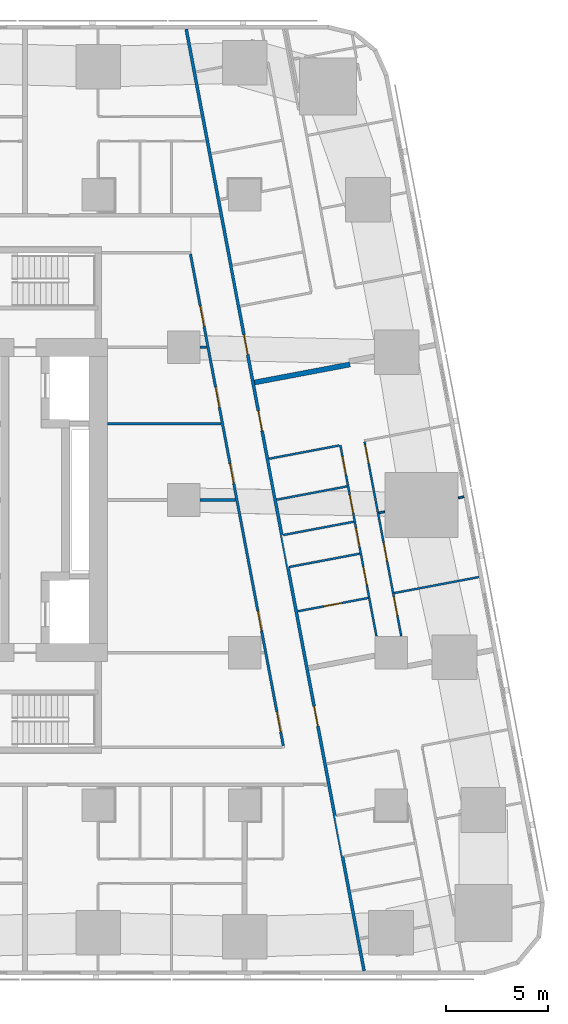
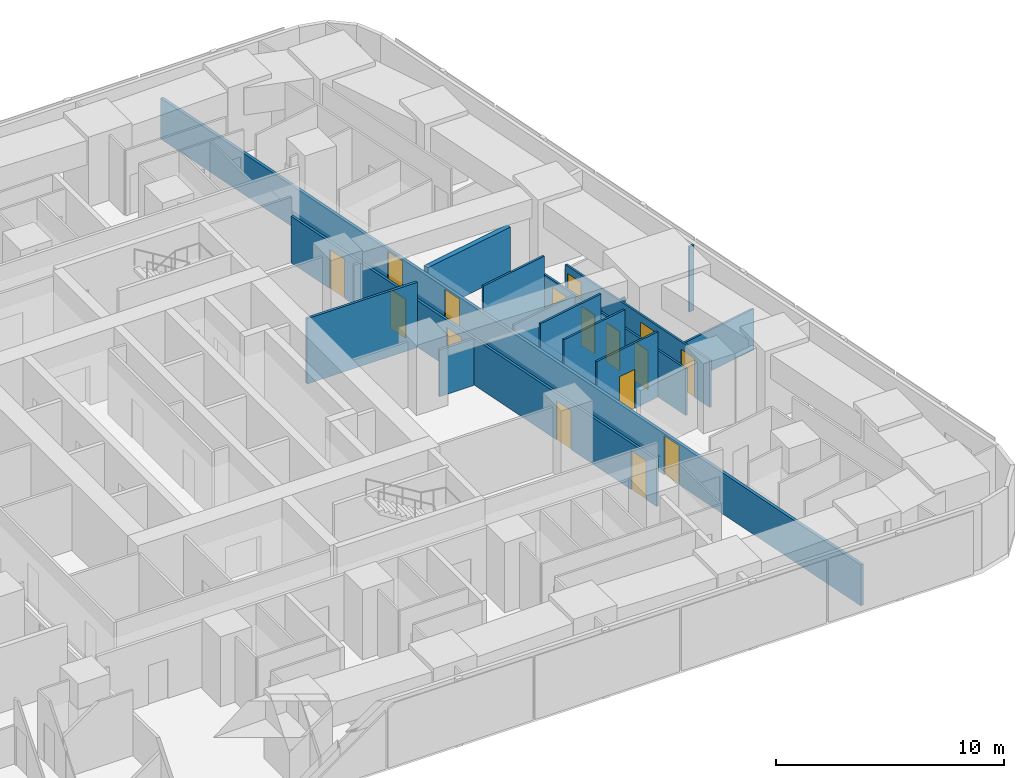
# One storey, part 8 of 16: 16 doors, 16 walls, 16 openings.
"""IFC4 building model written with IfcOpenShell, lengths in metres."""

from ifc_helpers import new_model, si_unit, direction, frame, frame_2d, origin, place, context, subcontext, project, spatial, rectangle, extrude, material, layer, layer_set, type_object, element, fill, save


model = new_model("IFC4")

# Units and contexts
model_context = context("Model", 3, precision=1e-05, world=origin(), true_north=direction((0.0, 1.0)))
body_context = subcontext(model_context, "Body", "Model", "MODEL_VIEW")
ifc_project = project(units=[si_unit("LENGTHUNIT", "METRE"), si_unit("AREAUNIT", "SQUARE_METRE"), si_unit("VOLUMEUNIT", "CUBIC_METRE"), si_unit("PLANEANGLEUNIT", "RADIAN"), si_unit("MASSUNIT", "GRAM", prefix="KILO")], contexts=[model_context])

# Site, building, storey
site_placement = place(None, origin())
site = spatial("IfcSite", under=ifc_project, at=site_placement, CompositionType="ELEMENT")
building_placement = place(site_placement, origin())
building = spatial("IfcBuilding", under=site, at=building_placement, Name="Sheger Commons Tower", CompositionType="ELEMENT")
storey_placement = place(building_placement, frame((0.0, 0.0, 92.89990234375)))
storey = spatial("IfcBuildingStorey", under=building, at=storey_placement, Name="L23", CompositionType="ELEMENT", Elevation=92.89990234375)

# Wall, openings, doors
ifc_material_1 = material(Name="Hollow concrete block masonry, skimmed both sides", Category="masonry")
ifc_layer_1 = layer(ifc_material_1, 0.14990234375)
ifc_layer_set_1 = layer_set([ifc_layer_1], Name="CORRIDOR WALL 150")
wall_type_1 = type_object("IfcWallType", Name="CORRIDOR WALL 150", PredefinedType="SOLIDWALL", material=ifc_layer_set_1)
wall_1_placement = place(storey_placement, frame((33.126953125, 45.64990234375, 0.0), z_axis=(0.0, 0.0, 1.0), x_axis=(0.185598547723, -0.98262565562, 0.0)))
wall_1 = element("IfcWall", 1, at=wall_1_placement, inside=storey, type_object=wall_type_1, Name="Corridor wall L23", PredefinedType="SOLIDWALL", context=body_context, shape_type="SweptSolid", body=[
    extrude(rectangle(XDim=47.118408203125, YDim=0.14990234375, at=frame_2d((23.55908203125, 0.0))), origin(), (0.0, 0.0, 1.0), 2.2001953125),
])
opening_1_placement = place(wall_1_placement, frame((15.284912109375, 0.0, 0.0)))
opening_1 = element("IfcOpeningElement", 2, at=opening_1_placement, cuts=wall_1, Name="Opening D1", PredefinedType="OPENING", context=body_context, shape_type="SweptSolid", body=[
    extrude(rectangle(XDim=1.0, YDim=2.10009765625, at=frame_2d((0.5, 1.050048828125))), frame((0.0, 0.0849609375, 0.0), z_axis=(0.0, -1.0, 0.0), x_axis=(1.0, 0.0, 0.0)), (0.0, 0.0, 1.0), 0.169921875),
])
opening_2_placement = place(wall_1_placement, frame((19.10205078125, 0.0, 0.0)))
opening_2 = element("IfcOpeningElement", 3, at=opening_2_placement, cuts=wall_1, Name="Opening D1", PredefinedType="OPENING", context=body_context, shape_type="SweptSolid", body=[
    extrude(rectangle(XDim=1.0, YDim=2.10009765625, at=frame_2d((0.5, 1.050048828125))), frame((0.0, 0.0849609375, 0.0), z_axis=(0.0, -1.0, 0.0), x_axis=(1.0, 0.0, 0.0)), (0.0, 0.0, 1.0), 0.169921875),
])
opening_3_placement = place(wall_1_placement, frame((33.8798828125, 0.0, 0.0)))
opening_3 = element("IfcOpeningElement", 4, at=opening_3_placement, cuts=wall_1, Name="Opening D1", PredefinedType="OPENING", context=body_context, shape_type="SweptSolid", body=[
    extrude(rectangle(XDim=1.0, YDim=2.10009765625, at=frame_2d((0.5, 1.050048828125))), frame((0.0, 0.0849609375, 0.0), z_axis=(0.0, -1.0, 0.0), x_axis=(1.0, 0.0, 0.0)), (0.0, 0.0, 1.0), 0.169921875),
])
ifc_material_2 = material(Name="Steel door set, fire rated", Category="steel")
door_type_1 = type_object("IfcDoorType", Name="FLAT ENTRANCE DOOR 1000x2100", OperationType="NOTDEFINED", PredefinedType="DOOR", material=ifc_material_2)
door_1_placement = place(opening_1_placement, origin())
door_1 = element("IfcDoor", 5, at=door_1_placement, inside=storey, type_object=door_type_1, Name="Flat entrance door", OperationType="SINGLE_SWING_RIGHT", OverallHeight=2.10009765625, OverallWidth=1.0, PredefinedType="DOOR", context=body_context, shape_type="SweptSolid", body=[
    extrude(rectangle(XDim=1.0, YDim=2.10009765625, at=frame_2d((0.5, 1.050048828125))), frame((0.0, 0.02490234375, 0.0), z_axis=(0.0, -1.0, 0.0), x_axis=(1.0, 0.0, 0.0)), (0.0, 0.0, 1.0), 0.050048828125),
])
fill(opening_1, door_1)
door_2_placement = place(opening_2_placement, origin())
door_2 = element("IfcDoor", 6, at=door_2_placement, inside=storey, type_object=door_type_1, Name="Flat entrance door", OperationType="SINGLE_SWING_RIGHT", OverallHeight=2.10009765625, OverallWidth=1.0, PredefinedType="DOOR", context=body_context, shape_type="SweptSolid", body=[
    extrude(rectangle(XDim=1.0, YDim=2.10009765625, at=frame_2d((0.5, 1.050048828125))), frame((0.0, 0.02490234375, 0.0), z_axis=(0.0, -1.0, 0.0), x_axis=(1.0, 0.0, 0.0)), (0.0, 0.0, 1.0), 0.050048828125),
])
fill(opening_2, door_2)
door_3_placement = place(opening_3_placement, origin())
door_3 = element("IfcDoor", 7, at=door_3_placement, inside=storey, type_object=door_type_1, Name="Flat entrance door", OperationType="SINGLE_SWING_LEFT", OverallHeight=2.10009765625, OverallWidth=1.0, PredefinedType="DOOR", context=body_context, shape_type="SweptSolid", body=[
    extrude(rectangle(XDim=1.0, YDim=2.10009765625, at=frame_2d((0.5, 1.050048828125))), frame((0.0, 0.02490234375, 0.0), z_axis=(0.0, -1.0, 0.0), x_axis=(1.0, 0.0, 0.0)), (0.0, 0.0, 1.0), 0.050048828125),
])
fill(opening_3, door_3)

# Wall
ifc_material_3 = material(Name="Dense concrete block masonry, plastered both sides (separating wall between flats)", Category="masonry")
ifc_layer_2 = layer(ifc_material_3, 0.25)
ifc_layer_set_2 = layer_set([ifc_layer_2], Name="DEMISING WALL 250")
wall_type_2 = type_object("IfcWallType", Name="DEMISING WALL 250", PredefinedType="SOLIDWALL", material=ifc_layer_set_2)
wall_2_placement = place(storey_placement, frame((41.177001953125, 29.1640625, 0.0), z_axis=(0.0, 0.0, 1.0), x_axis=(-0.982642846239, -0.185507511263, 0.0)))
element("IfcWall", 8, at=wall_2_placement, inside=storey, type_object=wall_type_2, Name="Demising wall L23", PredefinedType="SOLIDWALL", context=body_context, shape_type="SweptSolid", body=[
    extrude(rectangle(XDim=4.776123046875, YDim=0.25, at=frame_2d((2.38818359375, 0.0))), origin(), (0.0, 0.0, 1.0), 2.5),
])

# Wall, openings, doors
ifc_material_4 = material(Name="Gypsum board on steel studs", Category="steel")
ifc_layer_3 = layer(ifc_material_4, 0.10009765625)
ifc_layer_set_3 = layer_set([ifc_layer_3], Name="PARTITION 100")
wall_type_3 = type_object("IfcWallType", Name="PARTITION 100", PredefinedType="PARTITIONING", material=ifc_layer_set_3)
wall_3_placement = place(storey_placement, frame((41.89404296875, 25.365966796875, 0.0), z_axis=(0.0, 0.0, 1.0), x_axis=(0.185599502781, -0.982625475228, 0.0)))
wall_3 = element("IfcWall", 9, at=wall_3_placement, inside=storey, type_object=wall_type_3, Name="Partition L23", PredefinedType="PARTITIONING", context=body_context, shape_type="SweptSolid", body=[
    extrude(rectangle(XDim=9.724853515625, YDim=0.10009765625, at=frame_2d((4.8623046875, 0.0))), origin(), (0.0, 0.0, 1.0), 2.5),
])
opening_4_placement = place(wall_3_placement, frame((0.15087890625, 0.0, 0.0)))
opening_4 = element("IfcOpeningElement", 10, at=opening_4_placement, cuts=wall_3, Name="Opening D2", PredefinedType="OPENING", context=body_context, shape_type="SweptSolid", body=[
    extrude(rectangle(XDim=0.89990234375, YDim=2.10009765625, at=frame_2d((0.449951171875, 1.050048828125))), frame((0.0, 0.06005859375, 0.0), z_axis=(0.0, -1.0, 0.0), x_axis=(1.0, 0.0, 0.0)), (0.0, 0.0, 1.0), 0.1201171875),
])
opening_5_placement = place(wall_3_placement, frame((5.050048828125, 0.0, 0.0)))
opening_5 = element("IfcOpeningElement", 11, at=opening_5_placement, cuts=wall_3, Name="Opening D2", PredefinedType="OPENING", context=body_context, shape_type="SweptSolid", body=[
    extrude(rectangle(XDim=0.89990234375, YDim=2.10009765625, at=frame_2d((0.449951171875, 1.050048828125))), frame((0.0, 0.06005859375, 0.0), z_axis=(0.0, -1.0, 0.0), x_axis=(1.0, 0.0, 0.0)), (0.0, 0.0, 1.0), 0.1201171875),
])
opening_6_placement = place(wall_3_placement, frame((7.782958984375, 0.0, 0.0)))
opening_6 = element("IfcOpeningElement", 12, at=opening_6_placement, cuts=wall_3, Name="Opening D2", PredefinedType="OPENING", context=body_context, shape_type="SweptSolid", body=[
    extrude(rectangle(XDim=0.89990234375, YDim=2.10009765625, at=frame_2d((0.449951171875, 1.050048828125))), frame((0.0, 0.06005859375, 0.0), z_axis=(0.0, -1.0, 0.0), x_axis=(1.0, 0.0, 0.0)), (0.0, 0.0, 1.0), 0.1201171875),
])
ifc_material_5 = material(Name="Timber door set", Category="wood")
door_type_2 = type_object("IfcDoorType", Name="INTERNAL DOOR 900x2100", OperationType="NOTDEFINED", PredefinedType="DOOR", material=ifc_material_5)
door_4_placement = place(opening_4_placement, origin())
door_4 = element("IfcDoor", 13, at=door_4_placement, inside=storey, type_object=door_type_2, Name="Main bedroom door", OperationType="SINGLE_SWING_LEFT", OverallHeight=2.10009765625, OverallWidth=0.89990234375, PredefinedType="DOOR", context=body_context, shape_type="SweptSolid", body=[
    extrude(rectangle(XDim=0.89990234375, YDim=2.10009765625, at=frame_2d((0.449951171875, 1.050048828125))), frame((0.0, 0.02490234375, 0.0), z_axis=(0.0, -1.0, 0.0), x_axis=(1.0, 0.0, 0.0)), (0.0, 0.0, 1.0), 0.050048828125),
])
fill(opening_4, door_4)
door_5_placement = place(opening_5_placement, origin())
door_5 = element("IfcDoor", 14, at=door_5_placement, inside=storey, type_object=door_type_2, Name="Bedroom 2 door", OperationType="SINGLE_SWING_LEFT", OverallHeight=2.10009765625, OverallWidth=0.89990234375, PredefinedType="DOOR", context=body_context, shape_type="SweptSolid", body=[
    extrude(rectangle(XDim=0.89990234375, YDim=2.10009765625, at=frame_2d((0.449951171875, 1.050048828125))), frame((0.0, 0.02490234375, 0.0), z_axis=(0.0, -1.0, 0.0), x_axis=(1.0, 0.0, 0.0)), (0.0, 0.0, 1.0), 0.050048828125),
])
fill(opening_5, door_5)
door_6_placement = place(opening_6_placement, origin())
door_6 = element("IfcDoor", 15, at=door_6_placement, inside=storey, type_object=door_type_2, Name="Bedroom 3 door", OperationType="SINGLE_SWING_LEFT", OverallHeight=2.10009765625, OverallWidth=0.89990234375, PredefinedType="DOOR", context=body_context, shape_type="SweptSolid", body=[
    extrude(rectangle(XDim=0.89990234375, YDim=2.10009765625, at=frame_2d((0.449951171875, 1.050048828125))), frame((0.0, 0.02490234375, 0.0), z_axis=(0.0, -1.0, 0.0), x_axis=(1.0, 0.0, 0.0)), (0.0, 0.0, 1.0), 0.050048828125),
])
fill(opening_6, door_6)

wall_4_placement = place(storey_placement, frame((40.7060546875, 25.19189453125, 0.0), z_axis=(0.0, 0.0, 1.0), x_axis=(0.185591412258, -0.982627003342, 0.0)))
wall_4 = element("IfcWall", 16, at=wall_4_placement, inside=storey, type_object=wall_type_3, Name="Partition L23", PredefinedType="PARTITIONING", context=body_context, shape_type="SweptSolid", body=[
    extrude(rectangle(XDim=9.547607421875, YDim=0.10009765625, at=frame_2d((4.77392578125, 0.0))), origin(), (0.0, 0.0, 1.0), 2.5),
])
opening_7_placement = place(wall_4_placement, frame((0.574951171875, 0.0, 0.0)))
opening_7 = element("IfcOpeningElement", 17, at=opening_7_placement, cuts=wall_4, Name="Opening D2", PredefinedType="OPENING", context=body_context, shape_type="SweptSolid", body=[
    extrude(rectangle(XDim=0.89990234375, YDim=2.10009765625, at=frame_2d((0.449951171875, 1.050048828125))), frame((0.0, 0.06005859375, 0.0), z_axis=(0.0, -1.0, 0.0), x_axis=(1.0, 0.0, 0.0)), (0.0, 0.0, 1.0), 0.1201171875),
])
opening_8_placement = place(wall_4_placement, frame((4.166015625, 0.0, 0.0)))
opening_8 = element("IfcOpeningElement", 18, at=opening_8_placement, cuts=wall_4, Name="Opening D2", PredefinedType="OPENING", context=body_context, shape_type="SweptSolid", body=[
    extrude(rectangle(XDim=0.89990234375, YDim=2.10009765625, at=frame_2d((0.449951171875, 1.050048828125))), frame((0.0, 0.06005859375, 0.0), z_axis=(0.0, -1.0, 0.0), x_axis=(1.0, 0.0, 0.0)), (0.0, 0.0, 1.0), 0.1201171875),
])
opening_9_placement = place(wall_4_placement, frame((2.48291015625, 0.0, 0.0)))
opening_9 = element("IfcOpeningElement", 19, at=opening_9_placement, cuts=wall_4, Name="Opening D2", PredefinedType="OPENING", context=body_context, shape_type="SweptSolid", body=[
    extrude(rectangle(XDim=0.89990234375, YDim=2.10009765625, at=frame_2d((0.449951171875, 1.050048828125))), frame((0.0, 0.06005859375, 0.0), z_axis=(0.0, -1.0, 0.0), x_axis=(1.0, 0.0, 0.0)), (0.0, 0.0, 1.0), 0.1201171875),
])
opening_10_placement = place(wall_4_placement, frame((6.073974609375, 0.0, 0.0)))
opening_10 = element("IfcOpeningElement", 20, at=opening_10_placement, cuts=wall_4, Name="Opening D2", PredefinedType="OPENING", context=body_context, shape_type="SweptSolid", body=[
    extrude(rectangle(XDim=0.89990234375, YDim=2.10009765625, at=frame_2d((0.449951171875, 1.050048828125))), frame((0.0, 0.06005859375, 0.0), z_axis=(0.0, -1.0, 0.0), x_axis=(1.0, 0.0, 0.0)), (0.0, 0.0, 1.0), 0.1201171875),
])
door_7_placement = place(opening_7_placement, origin())
door_7 = element("IfcDoor", 21, at=door_7_placement, inside=storey, type_object=door_type_2, Name="Bathroom door", OperationType="SINGLE_SWING_RIGHT", OverallHeight=2.10009765625, OverallWidth=0.89990234375, PredefinedType="DOOR", context=body_context, shape_type="SweptSolid", body=[
    extrude(rectangle(XDim=0.89990234375, YDim=2.10009765625, at=frame_2d((0.449951171875, 1.050048828125))), frame((0.0, 0.02490234375, 0.0), z_axis=(0.0, -1.0, 0.0), x_axis=(1.0, 0.0, 0.0)), (0.0, 0.0, 1.0), 0.050048828125),
])
fill(opening_7, door_7)
door_8_placement = place(opening_8_placement, origin())
door_8 = element("IfcDoor", 22, at=door_8_placement, inside=storey, type_object=door_type_2, Name="Shower room door", OperationType="SINGLE_SWING_RIGHT", OverallHeight=2.10009765625, OverallWidth=0.89990234375, PredefinedType="DOOR", context=body_context, shape_type="SweptSolid", body=[
    extrude(rectangle(XDim=0.89990234375, YDim=2.10009765625, at=frame_2d((0.449951171875, 1.050048828125))), frame((0.0, 0.02490234375, 0.0), z_axis=(0.0, -1.0, 0.0), x_axis=(1.0, 0.0, 0.0)), (0.0, 0.0, 1.0), 0.050048828125),
])
fill(opening_8, door_8)
door_9_placement = place(opening_9_placement, origin())
door_9 = element("IfcDoor", 23, at=door_9_placement, inside=storey, type_object=door_type_2, Name="Store door", OperationType="SINGLE_SWING_RIGHT", OverallHeight=2.10009765625, OverallWidth=0.89990234375, PredefinedType="DOOR", context=body_context, shape_type="SweptSolid", body=[
    extrude(rectangle(XDim=0.89990234375, YDim=2.10009765625, at=frame_2d((0.449951171875, 1.050048828125))), frame((0.0, 0.02490234375, 0.0), z_axis=(0.0, -1.0, 0.0), x_axis=(1.0, 0.0, 0.0)), (0.0, 0.0, 1.0), 0.050048828125),
])
fill(opening_9, door_9)
door_10_placement = place(opening_10_placement, origin())
door_10 = element("IfcDoor", 24, at=door_10_placement, inside=storey, type_object=door_type_2, Name="Store door", OperationType="SINGLE_SWING_LEFT", OverallHeight=2.10009765625, OverallWidth=0.89990234375, PredefinedType="DOOR", context=body_context, shape_type="SweptSolid", body=[
    extrude(rectangle(XDim=0.89990234375, YDim=2.10009765625, at=frame_2d((0.449951171875, 1.050048828125))), frame((0.0, 0.02490234375, 0.0), z_axis=(0.0, -1.0, 0.0), x_axis=(1.0, 0.0, 0.0)), (0.0, 0.0, 1.0), 0.050048828125),
])
fill(opening_10, door_10)

# Walls
wall_5_placement = place(storey_placement, frame((46.781982421875, 22.656982421875, 0.0), z_axis=(0.0, 0.0, 1.0), x_axis=(-0.982574553168, -0.185868898601, 0.0)))
element("IfcWall", 25, at=wall_5_placement, inside=storey, type_object=wall_type_3, Name="Partition L23", PredefinedType="PARTITIONING", context=body_context, shape_type="SweptSolid", body=[
    extrude(rectangle(XDim=0.27978515625, YDim=0.10009765625, at=frame_2d((0.139892578125, 0.0))), origin(), (0.0, 0.0, 1.0), 3.5),
])
wall_6_placement = place(storey_placement, frame((42.886962890625, 21.9208984375, 0.0), z_axis=(0.0, 0.0, 1.0), x_axis=(-0.982688058078, -0.185267861514, 0.0)))
element("IfcWall", 26, at=wall_6_placement, inside=storey, type_object=wall_type_3, Name="Partition L23", PredefinedType="PARTITIONING", context=body_context, shape_type="SweptSolid", body=[
    extrude(rectangle(XDim=0.285888671875, YDim=0.10009765625, at=frame_2d((0.14306640625, 0.0))), origin(), (0.0, 0.0, 1.0), 2.5),
])
wall_7_placement = place(storey_placement, frame((47.527099609375, 18.7119140625, 0.0), z_axis=(0.0, 0.0, 1.0), x_axis=(-0.982665405803, -0.185387972203, 0.0)))
element("IfcWall", 27, at=wall_7_placement, inside=storey, type_object=wall_type_3, Name="Partition L23", PredefinedType="PARTITIONING", context=body_context, shape_type="SweptSolid", body=[
    extrude(rectangle(XDim=4.249755859375, YDim=0.10009765625, at=frame_2d((2.125, 0.0))), origin(), (0.0, 0.0, 1.0), 2.2001953125),
])
wall_8_placement = place(storey_placement, frame((40.656982421875, 25.18310546875, 0.0), z_axis=(0.0, 0.0, 1.0), x_axis=(-0.982585626838, -0.185810349366, 0.0)))
element("IfcWall", 28, at=wall_8_placement, inside=storey, type_object=wall_type_3, Name="Partition L23", PredefinedType="PARTITIONING", context=body_context, shape_type="SweptSolid", body=[
    extrude(rectangle(XDim=3.525146484375, YDim=0.10009765625, at=frame_2d((1.7626953125, 0.0))), origin(), (0.0, 0.0, 1.0), 3.5),
])
wall_9_placement = place(storey_placement, frame((41.364990234375, 21.43310546875, 0.0), z_axis=(0.0, 0.0, 1.0), x_axis=(-0.982638553676, -0.185530247748, 0.0)))
element("IfcWall", 29, at=wall_9_placement, inside=storey, type_object=wall_type_3, Name="Partition L23", PredefinedType="PARTITIONING", context=body_context, shape_type="SweptSolid", body=[
    extrude(rectangle(XDim=3.525390625, YDim=0.10009765625, at=frame_2d((1.7626953125, 0.0))), origin(), (0.0, 0.0, 1.0), 3.5),
])

# Wall, opening, door
wall_10_placement = place(storey_placement, frame((42.072998046875, 17.681884765625, 0.0), z_axis=(0.0, 0.0, 1.0), x_axis=(-0.98265117712, -0.185463376723, 0.0)))
wall_10 = element("IfcWall", 30, at=wall_10_placement, inside=storey, type_object=wall_type_3, Name="Partition L23", PredefinedType="PARTITIONING", context=body_context, shape_type="SweptSolid", body=[
    extrude(rectangle(XDim=3.525390625, YDim=0.10009765625, at=frame_2d((1.7626953125, 0.0))), origin(), (0.0, 0.0, 1.0), 3.5),
])
opening_11_placement = place(wall_10_placement, frame((1.324951171875, 0.0, 0.0)))
opening_11 = element("IfcOpeningElement", 31, at=opening_11_placement, cuts=wall_10, Name="Opening D2", PredefinedType="OPENING", context=body_context, shape_type="SweptSolid", body=[
    extrude(rectangle(XDim=0.89990234375, YDim=2.10009765625, at=frame_2d((0.449951171875, 1.050048828125))), frame((0.0, 0.06005859375, 0.0), z_axis=(0.0, -1.0, 0.0), x_axis=(1.0, 0.0, 0.0)), (0.0, 0.0, 1.0), 0.1201171875),
])
door_11_placement = place(opening_11_placement, origin())
door_11 = element("IfcDoor", 32, at=door_11_placement, inside=storey, type_object=door_type_2, Name="Store door", OperationType="SINGLE_SWING_RIGHT", OverallHeight=2.10009765625, OverallWidth=0.89990234375, PredefinedType="DOOR", context=body_context, shape_type="SweptSolid", body=[
    extrude(rectangle(XDim=0.89990234375, YDim=2.10009765625, at=frame_2d((0.449951171875, 1.050048828125))), frame((0.0, 0.02490234375, 0.0), z_axis=(0.0, -1.0, 0.0), x_axis=(1.0, 0.0, 0.0)), (0.0, 0.0, 1.0), 0.050048828125),
])
fill(opening_11, door_11)

# Walls
wall_11_placement = place(storey_placement, frame((41.037109375, 23.16796875, 0.0), z_axis=(0.0, 0.0, 1.0), x_axis=(-0.982638553676, -0.185530247748, 0.0)))
element("IfcWall", 33, at=wall_11_placement, inside=storey, type_object=wall_type_3, Name="Partition L23", PredefinedType="PARTITIONING", context=body_context, shape_type="SweptSolid", body=[
    extrude(rectangle(XDim=3.525390625, YDim=0.10009765625, at=frame_2d((1.7626953125, 0.0))), origin(), (0.0, 0.0, 1.0), 2.5),
])
wall_12_placement = place(storey_placement, frame((41.662109375, 19.861083984375, 0.0), z_axis=(0.0, 0.0, 1.0), x_axis=(-0.982588017646, -0.185797706064, 0.0)))
element("IfcWall", 34, at=wall_12_placement, inside=storey, type_object=wall_type_3, Name="Partition L23", PredefinedType="PARTITIONING", context=body_context, shape_type="SweptSolid", body=[
    extrude(rectangle(XDim=3.525390625, YDim=0.10009765625, at=frame_2d((1.7626953125, 0.0))), origin(), (0.0, 0.0, 1.0), 3.5),
])

# Wall, openings, doors
ifc_material_6 = material(Name="Gypsum board on steel studs, two layers each side, fire rated", Category="steel")
ifc_layer_4 = layer(ifc_material_6, 0.125)
ifc_layer_set_4 = layer_set([ifc_layer_4], Name="SERVICE WALL 125")
wall_type_4 = type_object("IfcWallType", Name="SERVICE WALL 125", PredefinedType="PARTITIONING", material=ifc_layer_set_4)
wall_13_placement = place(storey_placement, frame((37.89990234375, 10.4130859375, 0.0), z_axis=(0.0, 0.0, 1.0), x_axis=(-0.185589740669, 0.982627319058, 0.0)))
wall_13 = element("IfcWall", 35, at=wall_13_placement, inside=storey, type_object=wall_type_4, Name="Service room wall L23", PredefinedType="PARTITIONING", context=body_context, shape_type="SweptSolid", body=[
    extrude(rectangle(XDim=24.602294921875, YDim=0.125, at=frame_2d((12.30126953125, 0.0))), origin(), (0.0, 0.0, 1.0), 2.5),
])
opening_12_placement = place(wall_13_placement, frame((0.7080078125, 0.0, 0.0)))
opening_12 = element("IfcOpeningElement", 36, at=opening_12_placement, cuts=wall_13, Name="Opening D4", PredefinedType="OPENING", context=body_context, shape_type="SweptSolid", body=[
    extrude(rectangle(XDim=1.0, YDim=2.10009765625, at=frame_2d((0.5, 1.050048828125))), frame((0.0, 0.072509765625, 0.0), z_axis=(0.0, -1.0, 0.0), x_axis=(1.0, 0.0, 0.0)), (0.0, 0.0, 1.0), 0.14501953125),
])
opening_13_placement = place(wall_13_placement, frame((5.75, 0.0, 0.0)))
opening_13 = element("IfcOpeningElement", 37, at=opening_13_placement, cuts=wall_13, Name="Opening D4", PredefinedType="OPENING", context=body_context, shape_type="SweptSolid", body=[
    extrude(rectangle(XDim=1.0, YDim=2.10009765625, at=frame_2d((0.5, 1.050048828125))), frame((0.0, 0.072509765625, 0.0), z_axis=(0.0, -1.0, 0.0), x_axis=(1.0, 0.0, 0.0)), (0.0, 0.0, 1.0), 0.14501953125),
])
opening_14_placement = place(wall_13_placement, frame((13.1240234375, 0.0, 0.0)))
opening_14 = element("IfcOpeningElement", 38, at=opening_14_placement, cuts=wall_13, Name="Opening D4", PredefinedType="OPENING", context=body_context, shape_type="SweptSolid", body=[
    extrude(rectangle(XDim=1.0, YDim=2.10009765625, at=frame_2d((0.5, 1.050048828125))), frame((0.0, 0.072509765625, 0.0), z_axis=(0.0, -1.0, 0.0), x_axis=(1.0, 0.0, 0.0)), (0.0, 0.0, 1.0), 0.14501953125),
])
opening_15_placement = place(wall_13_placement, frame((16.93994140625, 0.0, 0.0)))
opening_15 = element("IfcOpeningElement", 39, at=opening_15_placement, cuts=wall_13, Name="Opening D4", PredefinedType="OPENING", context=body_context, shape_type="SweptSolid", body=[
    extrude(rectangle(XDim=1.0, YDim=2.10009765625, at=frame_2d((0.5, 1.050048828125))), frame((0.0, 0.072509765625, 0.0), z_axis=(0.0, -1.0, 0.0), x_axis=(1.0, 0.0, 0.0)), (0.0, 0.0, 1.0), 0.14501953125),
])
opening_16_placement = place(wall_13_placement, frame((21.0, 0.0, 0.0)))
opening_16 = element("IfcOpeningElement", 40, at=opening_16_placement, cuts=wall_13, Name="Opening D4", PredefinedType="OPENING", context=body_context, shape_type="SweptSolid", body=[
    extrude(rectangle(XDim=1.0, YDim=2.10009765625, at=frame_2d((0.5, 1.050048828125))), frame((0.0, 0.072509765625, 0.0), z_axis=(0.0, -1.0, 0.0), x_axis=(1.0, 0.0, 0.0)), (0.0, 0.0, 1.0), 0.14501953125),
])
ifc_material_7 = material(Name="Steel door set, fire rated", Category="steel")
door_type_3 = type_object("IfcDoorType", Name="SERVICE DOOR 1000x2100", OperationType="NOTDEFINED", PredefinedType="DOOR", material=ifc_material_7)
door_12_placement = place(opening_12_placement, origin())
door_12 = element("IfcDoor", 41, at=door_12_placement, inside=storey, type_object=door_type_3, Name="Residents' meeting room door", OperationType="SINGLE_SWING_LEFT", OverallHeight=2.10009765625, OverallWidth=1.0, PredefinedType="DOOR", context=body_context, shape_type="SweptSolid", body=[
    extrude(rectangle(XDim=1.0, YDim=2.10009765625, at=frame_2d((0.5, 1.050048828125))), frame((0.0, 0.02490234375, 0.0), z_axis=(0.0, -1.0, 0.0), x_axis=(1.0, 0.0, 0.0)), (0.0, 0.0, 1.0), 0.050048828125),
])
fill(opening_12, door_12)
door_13_placement = place(opening_13_placement, origin())
door_13 = element("IfcDoor", 42, at=door_13_placement, inside=storey, type_object=door_type_3, Name="Children's play room door", OperationType="SINGLE_SWING_LEFT", OverallHeight=2.10009765625, OverallWidth=1.0, PredefinedType="DOOR", context=body_context, shape_type="SweptSolid", body=[
    extrude(rectangle(XDim=1.0, YDim=2.10009765625, at=frame_2d((0.5, 1.050048828125))), frame((0.0, 0.02490234375, 0.0), z_axis=(0.0, -1.0, 0.0), x_axis=(1.0, 0.0, 0.0)), (0.0, 0.0, 1.0), 0.050048828125),
])
fill(opening_13, door_13)
door_14_placement = place(opening_14_placement, origin())
door_14 = element("IfcDoor", 43, at=door_14_placement, inside=storey, type_object=door_type_3, Name="Caretaker's store door", OperationType="SINGLE_SWING_LEFT", OverallHeight=2.10009765625, OverallWidth=1.0, PredefinedType="DOOR", context=body_context, shape_type="SweptSolid", body=[
    extrude(rectangle(XDim=1.0, YDim=2.10009765625, at=frame_2d((0.5, 1.050048828125))), frame((0.0, 0.02490234375, 0.0), z_axis=(0.0, -1.0, 0.0), x_axis=(1.0, 0.0, 0.0)), (0.0, 0.0, 1.0), 0.050048828125),
])
fill(opening_14, door_14)
door_15_placement = place(opening_15_placement, origin())
door_15 = element("IfcDoor", 44, at=door_15_placement, inside=storey, type_object=door_type_3, Name="Residents' store door", OperationType="SINGLE_SWING_LEFT", OverallHeight=2.10009765625, OverallWidth=1.0, PredefinedType="DOOR", context=body_context, shape_type="SweptSolid", body=[
    extrude(rectangle(XDim=1.0, YDim=2.10009765625, at=frame_2d((0.5, 1.050048828125))), frame((0.0, 0.02490234375, 0.0), z_axis=(0.0, -1.0, 0.0), x_axis=(1.0, 0.0, 0.0)), (0.0, 0.0, 1.0), 0.050048828125),
])
fill(opening_15, door_15)
door_16_placement = place(opening_16_placement, origin())
door_16 = element("IfcDoor", 45, at=door_16_placement, inside=storey, type_object=door_type_3, Name="Parcel and delivery room door", OperationType="SINGLE_SWING_LEFT", OverallHeight=2.10009765625, OverallWidth=1.0, PredefinedType="DOOR", context=body_context, shape_type="SweptSolid", body=[
    extrude(rectangle(XDim=1.0, YDim=2.10009765625, at=frame_2d((0.5, 1.050048828125))), frame((0.0, 0.02490234375, 0.0), z_axis=(0.0, -1.0, 0.0), x_axis=(1.0, 0.0, 0.0)), (0.0, 0.0, 1.0), 0.050048828125),
])
fill(opening_16, door_16)

# Walls
wall_14_placement = place(storey_placement, frame((33.801025390625, 22.5, 0.0), z_axis=(0.0, 0.0, 1.0), x_axis=(1.0, 0.0, 0.0)))
element("IfcWall", 46, at=wall_14_placement, inside=storey, type_object=wall_type_4, Name="Service room wall L23", PredefinedType="PARTITIONING", context=body_context, shape_type="SweptSolid", body=[
    extrude(rectangle(XDim=1.740966796875, YDim=0.125, at=frame_2d((0.87060546875, 0.0))), origin(), (0.0, 0.0, 1.0), 2.5),
])
wall_15_placement = place(storey_placement, frame((29.25, 26.25, 0.0), z_axis=(0.0, 0.0, 1.0), x_axis=(1.0, 0.0, 0.0)))
element("IfcWall", 47, at=wall_15_placement, inside=storey, type_object=wall_type_4, Name="Service room wall L23", PredefinedType="PARTITIONING", context=body_context, shape_type="SweptSolid", body=[
    extrude(rectangle(XDim=5.5830078125, YDim=0.125, at=frame_2d((2.79150390625, 0.0))), origin(), (0.0, 0.0, 1.0), 3.5),
])
wall_16_placement = place(storey_placement, frame((33.801025390625, 30.0, 0.0), z_axis=(0.0, 0.0, 1.0), x_axis=(1.0, 0.0, 0.0)))
element("IfcWall", 48, at=wall_16_placement, inside=storey, type_object=wall_type_4, Name="Service room wall L23", PredefinedType="PARTITIONING", context=body_context, shape_type="SweptSolid", body=[
    extrude(rectangle(XDim=0.323974609375, YDim=0.125, at=frame_2d((0.162109375, 0.0))), origin(), (0.0, 0.0, 1.0), 2.5),
])

save(model, "model.ifc")
